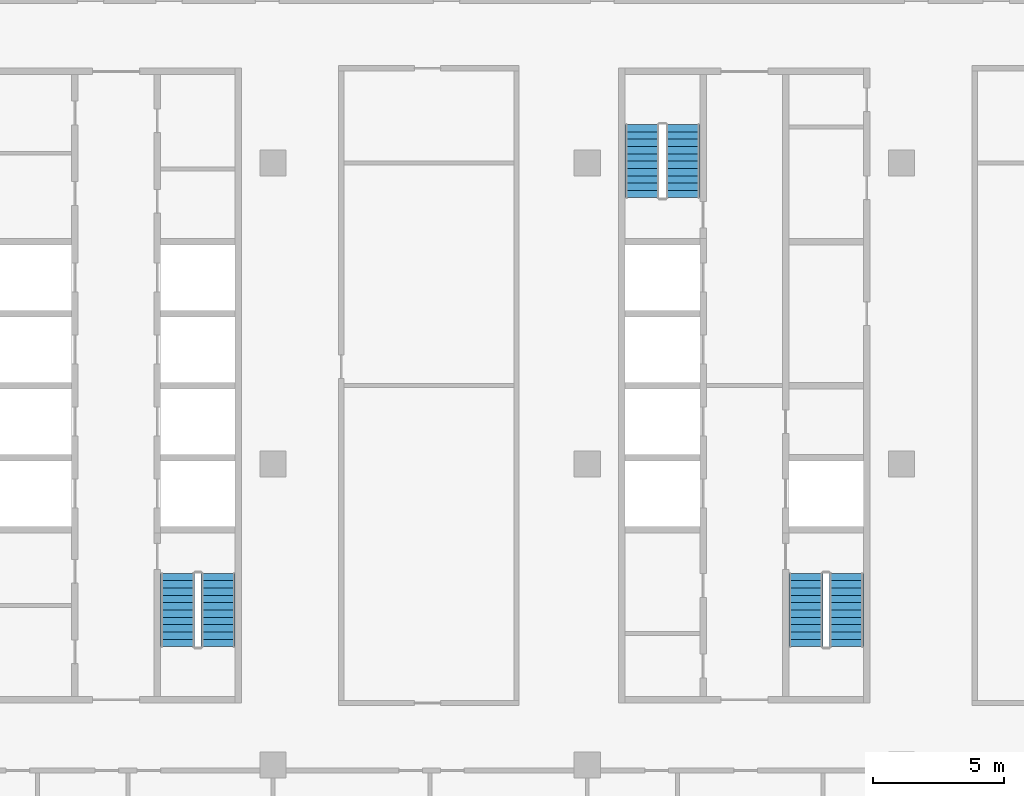
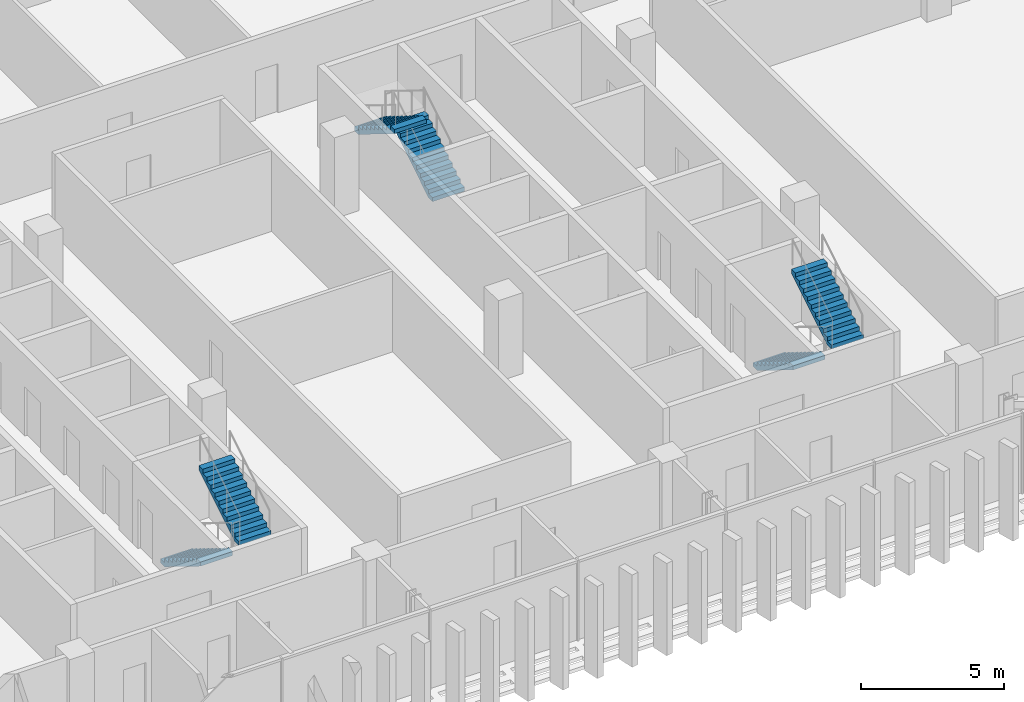
# One storey, part 22 of 32: 6 stair flights, 3 elements without a shape of their own.
"""IFC4 building model written with IfcOpenShell, lengths in metres."""

import ifcopenshell
import ifcopenshell.guid

model = None  # the IFC model being written
_history = None  # IfcOwnerHistory: only IFC2X3 demands one
_inside = {}  # id of a spatial element -> (the spatial element, [elements in it])
_under = {}  # id of a project, library or spatial element -> (it, [spatial elements below it])
_declared = {}  # id of a project -> (the project, [libraries it declares])
_typed = {}  # id of a type object -> (the type object, [elements of that type])
_made_of = {}  # id of a material, layer set ... -> (it, [elements and type objects made of it])


def new_model(schema):
    """Start an empty IFC model of exactly this schema.

    Asked for "IFC4X3", IfcOpenShell would pick the latest addendum, in which some entities
    have other attributes; the version numbers below select the first issue.
    IFC2X3 requires an IfcOwnerHistory on every rooted entity: one is made here for all.
    """
    global model, _history
    if schema == "IFC4X3":
        model = ifcopenshell.file(schema_version=(4, 3, 0, 0))
    else:
        model = ifcopenshell.file(schema=schema)
    _inside.clear()
    _under.clear()
    _declared.clear()
    _typed.clear()
    _made_of.clear()
    _history = None
    if model.schema == "IFC2X3":
        org = make("IfcOrganization", Name="unknown")
        user = make(
            "IfcPersonAndOrganization",
            ThePerson=make("IfcPerson", FamilyName="unknown"),
            TheOrganization=org,
        )
        app = make(
            "IfcApplication",
            ApplicationDeveloper=org,
            Version="unknown",
            ApplicationFullName="unknown",
            ApplicationIdentifier="unknown",
        )
        _history = make(
            "IfcOwnerHistory",
            OwningUser=user,
            OwningApplication=app,
            ChangeAction="ADDED",
            CreationDate=0,
        )
    return model


def make(cls, **values):
    """One entity of the class cls with the attributes given. An attribute that is None is left unset."""
    return model.create_entity(
        cls, **{name: value for name, value in values.items() if value is not None}
    )


def rooted(cls, **values):
    """An entity with a GlobalId (a new one), such as an element, a storey or a relation."""
    return make(cls, GlobalId=ifcopenshell.guid.new(), OwnerHistory=_history, **values)


def si_unit(unit_type, name, prefix=None):
    """IfcSIUnit, for example si_unit("LENGTHUNIT", "METRE", prefix="MILLI")."""
    return make("IfcSIUnit", UnitType=unit_type, Prefix=prefix, Name=name)


def assignment(units):
    """IfcUnitAssignment: the units of a project."""
    return None if units is None else make("IfcUnitAssignment", Units=units)


def point(xyz):
    """IfcCartesianPoint."""
    return None if xyz is None else make("IfcCartesianPoint", Coordinates=xyz)


def direction(xyz):
    """IfcDirection."""
    return None if xyz is None else make("IfcDirection", DirectionRatios=xyz)


def frame(location, z_axis=None, x_axis=None):
    """IfcAxis2Placement3D, a coordinate frame: its origin and axes. An axis left out is left unset."""
    return make(
        "IfcAxis2Placement3D",
        Location=point(location),
        Axis=direction(z_axis),
        RefDirection=direction(x_axis),
    )


def origin():
    """The frame at (0, 0, 0) with its axes left unset."""
    return frame((0.0, 0.0, 0.0))


def place(relative_to, where):
    """IfcLocalPlacement: puts the frame where relative to a parent placement (None: the world)."""
    return make(
        "IfcLocalPlacement", PlacementRelTo=relative_to, RelativePlacement=where
    )


def context(
    kind, dimensions, precision=None, world=None, true_north=None, identifier=None
):
    """IfcGeometricRepresentationContext, for example the 3D "Model" context."""
    return make(
        "IfcGeometricRepresentationContext",
        ContextIdentifier=identifier,
        ContextType=kind,
        CoordinateSpaceDimension=dimensions,
        Precision=precision,
        WorldCoordinateSystem=world,
        TrueNorth=true_north,
    )


def subcontext(parent, identifier, kind, view, scale=None):
    """IfcGeometricRepresentationSubContext, for example "Body" below "Model"."""
    return make(
        "IfcGeometricRepresentationSubContext",
        ContextIdentifier=identifier,
        ContextType=kind,
        ParentContext=parent,
        TargetScale=scale,
        TargetView=view,
    )


def project(units=None, contexts=None):
    """IfcProject with its units and contexts."""
    return rooted(
        "IfcProject",
        Name="project",
        RepresentationContexts=contexts,
        UnitsInContext=assignment(units),
    )


def spatial(cls, under=None, at=None, **own):
    """A site, building, storey or space (cls), placed at a placement, below another one or the project."""
    s = rooted(cls, ObjectPlacement=at, **own)
    if under is not None:
        _under.setdefault(under.id(), (under, []))[1].append(s)
    return s


def polyline(points):
    """IfcPolyline through the points."""
    return make("IfcPolyline", Points=[point(p) for p in points])


def outline(outer, holes=None, kind="AREA"):
    """IfcArbitraryClosedProfileDef: a profile drawn as a closed curve; with holes, ...WithVoids."""
    if holes is None:
        return make("IfcArbitraryClosedProfileDef", ProfileType=kind, OuterCurve=outer)
    return make(
        "IfcArbitraryProfileDefWithVoids",
        ProfileType=kind,
        OuterCurve=outer,
        InnerCurves=holes,
    )


def extrude(swept, where, along, depth):
    """IfcExtrudedAreaSolid: the profile swept, set in the frame where, extruded along a direction by depth."""
    return make(
        "IfcExtrudedAreaSolid",
        SweptArea=swept,
        Position=where,
        ExtrudedDirection=direction(along),
        Depth=depth,
    )


def shape(context_of_items, identifier, shape_type, items):
    """IfcShapeRepresentation: the items that make up one representation, for example the "Body"."""
    return make(
        "IfcShapeRepresentation",
        ContextOfItems=context_of_items,
        RepresentationIdentifier=identifier,
        RepresentationType=shape_type,
        Items=items,
    )


def material(Name=None, Category=None):
    """IfcMaterial."""
    return make("IfcMaterial", Name=Name, Category=Category)


def made_of(thing, what):
    """Note that an element or type object is made of a material, layer set ...; save() writes the relation."""
    if what is not None:
        _made_of.setdefault(what.id(), (what, []))[1].append(thing)
    return thing


def type_object(cls, material=None, **own):
    """A type object (cls), such as IfcWallType, which elements share."""
    return made_of(rooted(cls, **own), material)


def element(
    cls,
    number,
    at=None,
    inside=None,
    cuts=None,
    type_object=None,
    material=None,
    context=None,
    identifier="Body",
    shape_type=None,
    held_by="IfcProductDefinitionShape",
    body=None,
    shapes=None,
    **own,
):
    """One element of the class cls, such as IfcWall. Its Tag is "e" and its number.

    at: its placement. inside: the storey or other place that contains it. cuts: it is an
    opening in that element (IfcRelVoidsElement). A single representation is given by context,
    identifier, shape_type and body (its items); several are given by shapes. held_by: the class
    of the entity that holds the representations. save() writes the other relations.
    """
    e = rooted(cls, Tag="e%d" % number, ObjectPlacement=at, **own)
    if body is not None:
        shapes = [shape(context, identifier, shape_type, body)]
    if shapes is not None:
        e.Representation = make(held_by, Representations=shapes)
    if inside is not None:
        _inside.setdefault(inside.id(), (inside, []))[1].append(e)
    if cuts is not None:
        rooted(
            "IfcRelVoidsElement", RelatingBuildingElement=cuts, RelatedOpeningElement=e
        )
    if type_object is not None:
        _typed.setdefault(type_object.id(), (type_object, []))[1].append(e)
    return made_of(e, material)


def aggregate(whole, parts):
    """IfcRelAggregates: a whole, such as a stair, and the parts it consists of."""
    return rooted("IfcRelAggregates", RelatingObject=whole, RelatedObjects=parts)


def save(model, path):
    """Write the relations noted so far, then the file.

    IfcRelAggregates (storeys below a building ...), IfcRelContainedInSpatialStructure (elements
    in a storey), IfcRelDefinesByType, IfcRelAssociatesMaterial and IfcRelDeclares: one each for
    every whole, place, type object, material and project.
    """
    for whole, parts in _under.values():
        aggregate(whole, parts)
    for where, things in _inside.values():
        rooted(
            "IfcRelContainedInSpatialStructure",
            RelatedElements=things,
            RelatingStructure=where,
        )
    for kind, things in _typed.values():
        rooted("IfcRelDefinesByType", RelatedObjects=things, RelatingType=kind)
    for what, things in _made_of.values():
        rooted("IfcRelAssociatesMaterial", RelatedObjects=things, RelatingMaterial=what)
    for by, libraries in _declared.values():
        rooted("IfcRelDeclares", RelatingContext=by, RelatedDefinitions=libraries)
    model.write(path)


model = new_model("IFC4")

# Units and contexts
model_context = context("Model", 3, precision=1e-05, world=origin(), true_north=direction((0.0, 1.0)))
body_context = subcontext(model_context, "Body", "Model", "MODEL_VIEW")
ifc_project = project(units=[si_unit("LENGTHUNIT", "METRE"), si_unit("AREAUNIT", "SQUARE_METRE"), si_unit("VOLUMEUNIT", "CUBIC_METRE"), si_unit("PLANEANGLEUNIT", "RADIAN"), si_unit("MASSUNIT", "GRAM", prefix="KILO")], contexts=[model_context])

# Site, building, storey
site_placement = place(None, origin())
site = spatial("IfcSite", under=ifc_project, at=site_placement, CompositionType="ELEMENT")
building_placement = place(site_placement, origin())
building = spatial("IfcBuilding", under=site, at=building_placement, Name="Mahtab Terrace Research Tower", CompositionType="ELEMENT")
storey_placement = place(building_placement, frame((0.0, 0.0, 243.800048828125)))
storey = spatial("IfcBuildingStorey", under=building, at=storey_placement, Name="L59", CompositionType="ELEMENT", Elevation=243.800048828125)

# Stair, stair flights
ifc_material_1 = material(Name="Exit stair half-turn")
stair_type = type_object("IfcStairType", Name="Exit stair half-turn", PredefinedType="HALF_TURN_STAIR", material=ifc_material_1)
stair_1_placement = place(storey_placement, origin())
stair_1 = element("IfcStair", 1, at=stair_1_placement, inside=storey, type_object=stair_type, Name="L59 Protected exit stair ST2", PredefinedType="HALF_TURN_STAIR")
ifc_material_2 = material(Name="Concrete C40/50", Category="concrete")
stair_flight_type = type_object("IfcStairFlightType", Name="Exit stair flight 1300", PredefinedType="STRAIGHT", material=ifc_material_2)
stair_flight_1_placement = place(storey_placement, frame((2.35009765625, -4.175048828125, 0.0), z_axis=(0.0, 0.0, 1.0), x_axis=(0.0, -1.0, 0.0)))
stair_flight_1 = element("IfcStairFlight", 2, at=stair_flight_1_placement, type_object=stair_flight_type, Name="ST2 flight 1", NumberOfRisers=11, NumberOfTreads=10, PredefinedType="STRAIGHT", RiserHeight=0.172727273, TreadLength=0.28, context=body_context, shape_type="SweptSolid", body=[
    extrude(outline(polyline([(0.0, 0.0), (0.0, 0.172607421875), (0.280029296875, 0.172607421875), (0.280029296875, 0.345458984375), (0.56005859375, 0.345458984375), (0.56005859375, 0.51806640625), (0.840087890625, 0.51806640625), (0.840087890625, 0.69091796875), (1.1201171875, 0.69091796875), (1.1201171875, 0.863525390625), (1.39990234375, 0.863525390625), (1.39990234375, 1.036376953125), (1.679931640625, 1.036376953125), (1.679931640625, 1.208984375), (1.9599609375, 1.208984375), (1.9599609375, 1.3818359375), (2.239990234375, 1.3818359375), (2.239990234375, 1.554443359375), (2.52001953125, 1.554443359375), (2.52001953125, 1.727294921875), (2.800048828125, 1.727294921875), (2.800048828125, 1.89990234375), (2.800048828125, 1.551025390625), (0.285400390625, 0.0), (0.0, 0.0)])), frame((0.0, 0.64990234375, 0.0), z_axis=(0.0, -1.0, 0.0), x_axis=(1.0, 0.0, 0.0)), (0.0, 0.0, 1.0), 1.300048828125),
])
stair_flight_2_placement = place(storey_placement, frame((3.89990234375, -6.97509765625, 1.89990234375), z_axis=(0.0, 0.0, 1.0), x_axis=(0.0, 1.0, 0.0)))
stair_flight_2 = element("IfcStairFlight", 3, at=stair_flight_2_placement, type_object=stair_flight_type, Name="ST2 flight 2", NumberOfRisers=11, NumberOfTreads=10, PredefinedType="STRAIGHT", RiserHeight=0.172727273, TreadLength=0.28, context=body_context, shape_type="SweptSolid", body=[
    extrude(outline(polyline([(0.0, 0.0), (0.0, 0.172607421875), (0.280029296875, 0.172607421875), (0.280029296875, 0.345458984375), (0.56005859375, 0.345458984375), (0.56005859375, 0.51806640625), (0.840087890625, 0.51806640625), (0.840087890625, 0.69091796875), (1.1201171875, 0.69091796875), (1.1201171875, 0.863525390625), (1.39990234375, 0.863525390625), (1.39990234375, 1.036376953125), (1.679931640625, 1.036376953125), (1.679931640625, 1.208984375), (1.9599609375, 1.208984375), (1.9599609375, 1.3818359375), (2.239990234375, 1.3818359375), (2.239990234375, 1.554443359375), (2.52001953125, 1.554443359375), (2.52001953125, 1.727294921875), (2.800048828125, 1.727294921875), (2.800048828125, 1.89990234375), (2.800048828125, 1.551025390625), (0.285400390625, 0.0), (0.0, 0.0)])), frame((0.0, 0.64990234375, 0.0), z_axis=(0.0, -1.0, 0.0), x_axis=(1.0, 0.0, 0.0)), (0.0, 0.0, 1.0), 1.300048828125),
])
aggregate(stair_1, [stair_flight_1, stair_flight_2])

stair_2_placement = place(storey_placement, origin())
stair_2 = element("IfcStair", 4, at=stair_2_placement, inside=storey, type_object=stair_type, Name="L59 Protected exit stair ST3", PredefinedType="HALF_TURN_STAIR")
stair_flight_3_placement = place(storey_placement, frame((21.64990234375, 10.175048828125, 0.0), z_axis=(0.0, 0.0, 1.0), x_axis=(0.0, 1.0, 0.0)))
stair_flight_3 = element("IfcStairFlight", 5, at=stair_flight_3_placement, type_object=stair_flight_type, Name="ST3 flight 1", NumberOfRisers=11, NumberOfTreads=10, PredefinedType="STRAIGHT", RiserHeight=0.172727273, TreadLength=0.28, context=body_context, shape_type="SweptSolid", body=[
    extrude(outline(polyline([(0.0, 0.0), (0.0, 0.172607421875), (0.280029296875, 0.172607421875), (0.280029296875, 0.345458984375), (0.56005859375, 0.345458984375), (0.56005859375, 0.51806640625), (0.840087890625, 0.51806640625), (0.840087890625, 0.69091796875), (1.1201171875, 0.69091796875), (1.1201171875, 0.863525390625), (1.39990234375, 0.863525390625), (1.39990234375, 1.036376953125), (1.679931640625, 1.036376953125), (1.679931640625, 1.208984375), (1.9599609375, 1.208984375), (1.9599609375, 1.3818359375), (2.239990234375, 1.3818359375), (2.239990234375, 1.554443359375), (2.52001953125, 1.554443359375), (2.52001953125, 1.727294921875), (2.800048828125, 1.727294921875), (2.800048828125, 1.89990234375), (2.800048828125, 1.551025390625), (0.285400390625, 0.0), (0.0, 0.0)])), frame((0.0, 0.64990234375, 0.0), z_axis=(0.0, -1.0, 0.0), x_axis=(1.0, 0.0, 0.0)), (0.0, 0.0, 1.0), 1.300048828125),
])
stair_flight_4_placement = place(storey_placement, frame((20.10009765625, 12.97509765625, 1.89990234375), z_axis=(0.0, 0.0, 1.0), x_axis=(0.0, -1.0, 0.0)))
stair_flight_4 = element("IfcStairFlight", 6, at=stair_flight_4_placement, type_object=stair_flight_type, Name="ST3 flight 2", NumberOfRisers=11, NumberOfTreads=10, PredefinedType="STRAIGHT", RiserHeight=0.172727273, TreadLength=0.28, context=body_context, shape_type="SweptSolid", body=[
    extrude(outline(polyline([(0.0, 0.0), (0.0, 0.172607421875), (0.280029296875, 0.172607421875), (0.280029296875, 0.345458984375), (0.56005859375, 0.345458984375), (0.56005859375, 0.51806640625), (0.840087890625, 0.51806640625), (0.840087890625, 0.69091796875), (1.1201171875, 0.69091796875), (1.1201171875, 0.863525390625), (1.39990234375, 0.863525390625), (1.39990234375, 1.036376953125), (1.679931640625, 1.036376953125), (1.679931640625, 1.208984375), (1.9599609375, 1.208984375), (1.9599609375, 1.3818359375), (2.239990234375, 1.3818359375), (2.239990234375, 1.554443359375), (2.52001953125, 1.554443359375), (2.52001953125, 1.727294921875), (2.800048828125, 1.727294921875), (2.800048828125, 1.89990234375), (2.800048828125, 1.551025390625), (0.285400390625, 0.0), (0.0, 0.0)])), frame((0.0, 0.64990234375, 0.0), z_axis=(0.0, -1.0, 0.0), x_axis=(1.0, 0.0, 0.0)), (0.0, 0.0, 1.0), 1.300048828125),
])
aggregate(stair_2, [stair_flight_3, stair_flight_4])

stair_3_placement = place(storey_placement, origin())
stair_3 = element("IfcStair", 7, at=stair_3_placement, inside=storey, type_object=stair_type, Name="L59 Protected exit stair ST4", PredefinedType="HALF_TURN_STAIR")
stair_flight_5_placement = place(storey_placement, frame((26.35009765625, -4.175048828125, 0.0), z_axis=(0.0, 0.0, 1.0), x_axis=(0.0, -1.0, 0.0)))
stair_flight_5 = element("IfcStairFlight", 8, at=stair_flight_5_placement, type_object=stair_flight_type, Name="ST4 flight 1", NumberOfRisers=11, NumberOfTreads=10, PredefinedType="STRAIGHT", RiserHeight=0.172727273, TreadLength=0.28, context=body_context, shape_type="SweptSolid", body=[
    extrude(outline(polyline([(0.0, 0.0), (0.0, 0.172607421875), (0.280029296875, 0.172607421875), (0.280029296875, 0.345458984375), (0.56005859375, 0.345458984375), (0.56005859375, 0.51806640625), (0.840087890625, 0.51806640625), (0.840087890625, 0.69091796875), (1.1201171875, 0.69091796875), (1.1201171875, 0.863525390625), (1.39990234375, 0.863525390625), (1.39990234375, 1.036376953125), (1.679931640625, 1.036376953125), (1.679931640625, 1.208984375), (1.9599609375, 1.208984375), (1.9599609375, 1.3818359375), (2.239990234375, 1.3818359375), (2.239990234375, 1.554443359375), (2.52001953125, 1.554443359375), (2.52001953125, 1.727294921875), (2.800048828125, 1.727294921875), (2.800048828125, 1.89990234375), (2.800048828125, 1.551025390625), (0.285400390625, 0.0), (0.0, 0.0)])), frame((0.0, 0.64990234375, 0.0), z_axis=(0.0, -1.0, 0.0), x_axis=(1.0, 0.0, 0.0)), (0.0, 0.0, 1.0), 1.300048828125),
])
stair_flight_6_placement = place(storey_placement, frame((27.89990234375, -6.97509765625, 1.89990234375), z_axis=(0.0, 0.0, 1.0), x_axis=(0.0, 1.0, 0.0)))
stair_flight_6 = element("IfcStairFlight", 9, at=stair_flight_6_placement, type_object=stair_flight_type, Name="ST4 flight 2", NumberOfRisers=11, NumberOfTreads=10, PredefinedType="STRAIGHT", RiserHeight=0.172727273, TreadLength=0.28, context=body_context, shape_type="SweptSolid", body=[
    extrude(outline(polyline([(0.0, 0.0), (0.0, 0.172607421875), (0.280029296875, 0.172607421875), (0.280029296875, 0.345458984375), (0.56005859375, 0.345458984375), (0.56005859375, 0.51806640625), (0.840087890625, 0.51806640625), (0.840087890625, 0.69091796875), (1.1201171875, 0.69091796875), (1.1201171875, 0.863525390625), (1.39990234375, 0.863525390625), (1.39990234375, 1.036376953125), (1.679931640625, 1.036376953125), (1.679931640625, 1.208984375), (1.9599609375, 1.208984375), (1.9599609375, 1.3818359375), (2.239990234375, 1.3818359375), (2.239990234375, 1.554443359375), (2.52001953125, 1.554443359375), (2.52001953125, 1.727294921875), (2.800048828125, 1.727294921875), (2.800048828125, 1.89990234375), (2.800048828125, 1.551025390625), (0.285400390625, 0.0), (0.0, 0.0)])), frame((0.0, 0.64990234375, 0.0), z_axis=(0.0, -1.0, 0.0), x_axis=(1.0, 0.0, 0.0)), (0.0, 0.0, 1.0), 1.300048828125),
])
aggregate(stair_3, [stair_flight_5, stair_flight_6])

save(model, "model.ifc")
